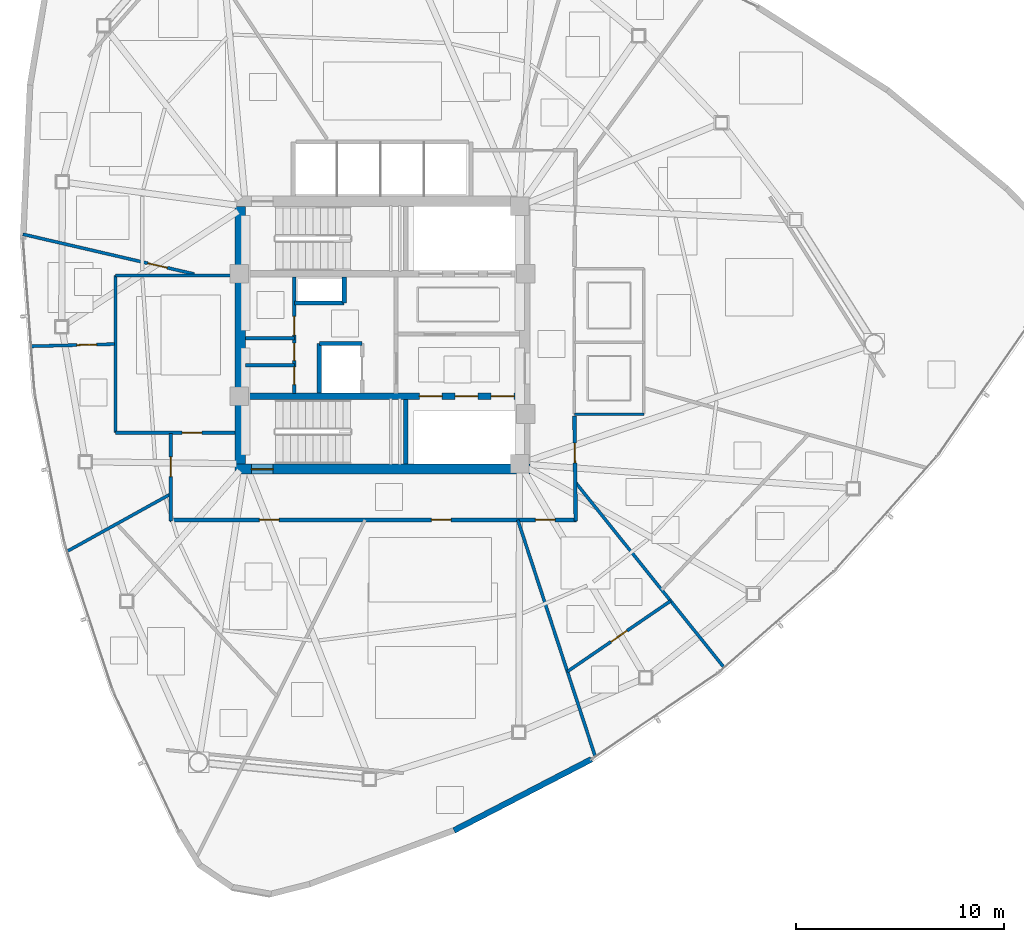
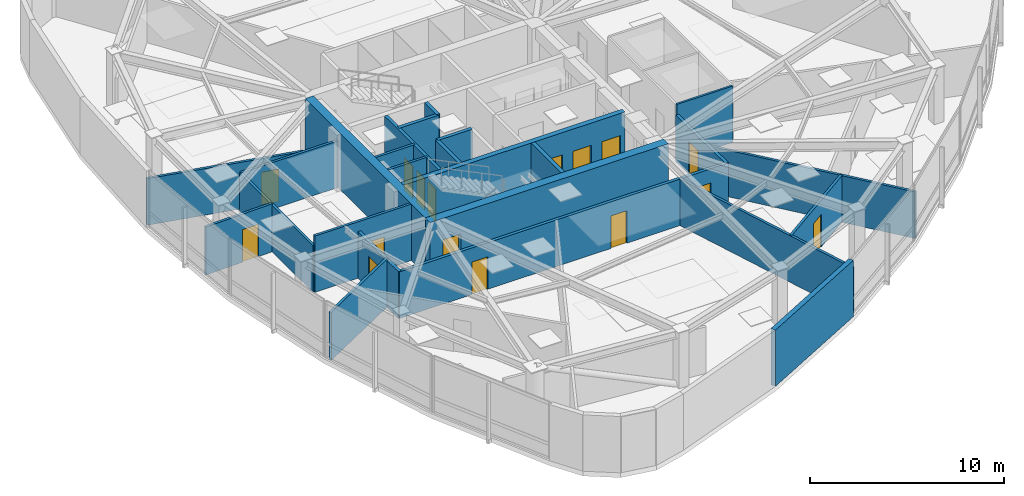
# One storey, part 11 of 17: 25 walls, 16 doors, 16 openings.
"""IFC4 building model written with IfcOpenShell, lengths in metres."""

from ifc_helpers import new_model, si_unit, direction, frame, frame_2d, origin, place, context, subcontext, project, spatial, rectangle, extrude, material, layer, layer_set, type_object, element, fill, save


model = new_model("IFC4")

# Units and contexts
model_context = context("Model", 3, precision=1e-05, world=origin(), true_north=direction((0.0, 1.0)))
body_context = subcontext(model_context, "Body", "Model", "MODEL_VIEW")
ifc_project = project(units=[si_unit("LENGTHUNIT", "METRE"), si_unit("AREAUNIT", "SQUARE_METRE"), si_unit("VOLUMEUNIT", "CUBIC_METRE"), si_unit("PLANEANGLEUNIT", "RADIAN"), si_unit("MASSUNIT", "GRAM", prefix="KILO")], contexts=[model_context])

# Site, building, storey
site_placement = place(None, origin())
site = spatial("IfcSite", under=ifc_project, at=site_placement, CompositionType="ELEMENT")
building_placement = place(site_placement, origin())
building = spatial("IfcBuilding", under=site, at=building_placement, Name="Tavelor Broadcast Tower", CompositionType="ELEMENT")
storey_placement = place(building_placement, frame((0.0, 0.0, 192.60009765625)))
storey = spatial("IfcBuildingStorey", under=building, at=storey_placement, Name="L46", CompositionType="ELEMENT", Elevation=192.60009765625)

# Wall, opening, door
ifc_material_1 = material(Name="Concrete C50/60", Category="concrete")
ifc_layer_1 = layer(ifc_material_1, 0.5)
ifc_layer_set_1 = layer_set([ifc_layer_1], Name="Concrete C50/60")
wall_type_1 = type_object("IfcWallType", Name="Core Shear Wall 500 mm", PredefinedType="SHEAR", material=ifc_layer_set_1)
wall_1_placement = place(storey_placement, frame((42.89990234375, 38.550048828125, 0.0), z_axis=(0.0, 0.0, 1.0), x_axis=(1.0, 0.0, 0.0)))
wall_1 = element("IfcWall", 1, at=wall_1_placement, inside=storey, type_object=wall_type_1, Name="L46 Central Core Shear Wall S", PredefinedType="SHEAR", context=body_context, shape_type="SweptSolid", body=[
    extrude(rectangle(XDim=14.2001953125, YDim=0.5, at=frame_2d((7.10009765625, 0.0))), origin(), (0.0, 0.0, 1.0), 3.5498046875),
])
opening_1_placement = place(wall_1_placement, frame((0.780029296875, 0.0, 0.0)))
opening_1 = element("IfcOpeningElement", 2, at=opening_1_placement, cuts=wall_1, Name="Opening DR11", PredefinedType="OPENING", context=body_context, shape_type="SweptSolid", body=[
    extrude(rectangle(XDim=1.050048828125, YDim=2.199951171875, at=frame_2d((0.52490234375, 1.10009765625))), frame((0.0, 0.260009765625, 0.0), z_axis=(0.0, -1.0, 0.0), x_axis=(1.0, 0.0, 0.0)), (0.0, 0.0, 1.0), 0.52001953125),
])
ifc_material_2 = material(Name="Steel S355", Category="steel")
door_type_1 = type_object("IfcDoorType", Name="Stair Core Fire Escape Door 1050x2200", OperationType="NOTDEFINED", PredefinedType="DOOR", material=ifc_material_2)
door_1_placement = place(opening_1_placement, origin())
door_1 = element("IfcDoor", 3, at=door_1_placement, inside=storey, type_object=door_type_1, Name="L46 Stair ST2 Protected Exit Door", OperationType="SINGLE_SWING_RIGHT", OverallHeight=2.199951171875, OverallWidth=1.050048828125, PredefinedType="DOOR", context=body_context, shape_type="SweptSolid", body=[
    extrude(rectangle(XDim=1.050048828125, YDim=2.199951171875, at=frame_2d((0.52490234375, 1.10009765625))), frame((0.0, 0.02490234375, 0.0), z_axis=(0.0, -1.0, 0.0), x_axis=(1.0, 0.0, 0.0)), (0.0, 0.0, 1.0), 0.050048828125),
])
fill(opening_1, door_1)

# Wall
wall_2_placement = place(storey_placement, frame((43.14990234375, 38.800048828125, 0.0), z_axis=(0.0, 0.0, 1.0), x_axis=(0.0, 1.0, 0.0)))
element("IfcWall", 4, at=wall_2_placement, inside=storey, type_object=wall_type_1, Name="L46 Central Core Shear Wall W", PredefinedType="SHEAR", context=body_context, shape_type="SweptSolid", body=[
    extrude(rectangle(XDim=12.39990234375, YDim=0.5, at=frame_2d((6.199951171875, 0.0))), origin(), (0.0, 0.0, 1.0), 3.5498046875),
])

# Wall, openings, doors
ifc_layer_2 = layer(ifc_material_1, 0.300048828125)
ifc_layer_set_2 = layer_set([ifc_layer_2], Name="Concrete C50/60")
wall_type_2 = type_object("IfcWallType", Name="Core Spine Shear Wall 300 mm C50", PredefinedType="SHEAR", material=ifc_layer_set_2)
wall_3_placement = place(storey_placement, frame((43.39990234375, 42.050048828125, 0.0), z_axis=(0.0, 0.0, 1.0), x_axis=(1.0, 0.0, 0.0)))
wall_3 = element("IfcWall", 5, at=wall_3_placement, inside=storey, type_object=wall_type_2, Name="L46 Central Core Shear Wall SP2", PredefinedType="SHEAR", context=body_context, shape_type="SweptSolid", body=[
    extrude(rectangle(XDim=13.2001953125, YDim=0.300048828125, at=frame_2d((6.60009765625, 0.0))), origin(), (0.0, 0.0, 1.0), 3.5498046875),
])
opening_2_placement = place(wall_3_placement, frame((8.3701171875, 0.0, 0.0)))
opening_2 = element("IfcOpeningElement", 6, at=opening_2_placement, cuts=wall_3, Name="Opening LD01", PredefinedType="OPENING", context=body_context, shape_type="SweptSolid", body=[
    extrude(rectangle(XDim=1.10009765625, YDim=2.14990234375, at=frame_2d((0.550048828125, 1.074951171875))), frame((0.0, 0.16015625, 0.0), z_axis=(0.0, -1.0, 0.0), x_axis=(1.0, 0.0, 0.0)), (0.0, 0.0, 1.0), 0.320068359375),
])
opening_3_placement = place(wall_3_placement, frame((10.090087890625, 0.0, 0.0)))
opening_3 = element("IfcOpeningElement", 7, at=opening_3_placement, cuts=wall_3, Name="Opening LD01", PredefinedType="OPENING", context=body_context, shape_type="SweptSolid", body=[
    extrude(rectangle(XDim=1.10009765625, YDim=2.14990234375, at=frame_2d((0.550048828125, 1.074951171875))), frame((0.0, 0.16015625, 0.0), z_axis=(0.0, -1.0, 0.0), x_axis=(1.0, 0.0, 0.0)), (0.0, 0.0, 1.0), 0.320068359375),
])
opening_4_placement = place(wall_3_placement, frame((11.830078125, 0.0, 0.0)))
opening_4 = element("IfcOpeningElement", 8, at=opening_4_placement, cuts=wall_3, Name="Opening LD01", PredefinedType="OPENING", context=body_context, shape_type="SweptSolid", body=[
    extrude(rectangle(XDim=1.10009765625, YDim=2.14990234375, at=frame_2d((0.550048828125, 1.074951171875))), frame((0.0, 0.16015625, 0.0), z_axis=(0.0, -1.0, 0.0), x_axis=(1.0, 0.0, 0.0)), (0.0, 0.0, 1.0), 0.320068359375),
])
ifc_material_3 = material(Name="Brushed Stainless Steel", Category="steel")
door_type_2 = type_object("IfcDoorType", Name="Passenger Lift Sliding Landing Door 1100x2150", OperationType="NOTDEFINED", PredefinedType="DOOR", material=ifc_material_3)
door_2_placement = place(opening_2_placement, origin())
door_2 = element("IfcDoor", 9, at=door_2_placement, inside=storey, type_object=door_type_2, Name="L46 Lift PLM1 Sliding Landing Door", OperationType="SLIDING_TO_LEFT", OverallHeight=2.14990234375, OverallWidth=1.10009765625, PredefinedType="DOOR", context=body_context, shape_type="SweptSolid", body=[
    extrude(rectangle(XDim=1.10009765625, YDim=2.14990234375, at=frame_2d((0.550048828125, 1.074951171875))), frame((0.0, 0.02490234375, 0.0), z_axis=(0.0, -1.0, 0.0), x_axis=(1.0, 0.0, 0.0)), (0.0, 0.0, 1.0), 0.050048828125),
])
fill(opening_2, door_2)
door_3_placement = place(opening_3_placement, origin())
door_3 = element("IfcDoor", 10, at=door_3_placement, inside=storey, type_object=door_type_2, Name="L46 Lift PLM2 Sliding Landing Door", OperationType="SLIDING_TO_LEFT", OverallHeight=2.14990234375, OverallWidth=1.10009765625, PredefinedType="DOOR", context=body_context, shape_type="SweptSolid", body=[
    extrude(rectangle(XDim=1.10009765625, YDim=2.14990234375, at=frame_2d((0.550048828125, 1.074951171875))), frame((0.0, 0.02490234375, 0.0), z_axis=(0.0, -1.0, 0.0), x_axis=(1.0, 0.0, 0.0)), (0.0, 0.0, 1.0), 0.050048828125),
])
fill(opening_3, door_3)
door_4_placement = place(opening_4_placement, origin())
door_4 = element("IfcDoor", 11, at=door_4_placement, inside=storey, type_object=door_type_2, Name="L46 Lift PLM3 Sliding Landing Door", OperationType="SLIDING_TO_LEFT", OverallHeight=2.14990234375, OverallWidth=1.10009765625, PredefinedType="DOOR", context=body_context, shape_type="SweptSolid", body=[
    extrude(rectangle(XDim=1.10009765625, YDim=2.14990234375, at=frame_2d((0.550048828125, 1.074951171875))), frame((0.0, 0.02490234375, 0.0), z_axis=(0.0, -1.0, 0.0), x_axis=(1.0, 0.0, 0.0)), (0.0, 0.0, 1.0), 0.050048828125),
])
fill(opening_4, door_4)

ifc_material_4 = material(Name="Calcium Silicate Fire Board 180 mm", Category="gypsum")
ifc_layer_3 = layer(ifc_material_4, 0.179931640625)
ifc_layer_set_3 = layer_set([ifc_layer_3], Name="Calcium Silicate Fire Board 180 mm")
wall_type_3 = type_object("IfcWallType", Name="Fire-Rated Corridor Partition Wall 180 mm", PredefinedType="PARTITIONING", material=ifc_layer_set_3)
wall_4_placement = place(storey_placement, frame((45.75, 42.199951171875, 0.0), z_axis=(0.0, 0.0, 1.0), x_axis=(0.0, 1.0, 0.0)))
wall_4 = element("IfcWall", 12, at=wall_4_placement, inside=storey, type_object=wall_type_3, Name="L46 Core West Service East Wall", PredefinedType="PARTITIONING", context=body_context, shape_type="SweptSolid", body=[
    extrude(rectangle(XDim=5.60009765625, YDim=0.179931640625, at=frame_2d((2.800048828125, 0.0))), origin(), (0.0, 0.0, 1.0), 3.5498046875),
])
opening_5_placement = place(wall_4_placement, frame((0.419921875, 0.0, 0.0)))
opening_5 = element("IfcOpeningElement", 13, at=opening_5_placement, cuts=wall_4, Name="Opening DR36", PredefinedType="OPENING", context=body_context, shape_type="SweptSolid", body=[
    extrude(rectangle(XDim=0.85009765625, YDim=2.050048828125, at=frame_2d((0.425048828125, 1.02490234375))), frame((0.0, 0.10009765625, 0.0), z_axis=(0.0, -1.0, 0.0), x_axis=(1.0, 0.0, 0.0)), (0.0, 0.0, 1.0), 0.199951171875),
])
opening_6_placement = place(wall_4_placement, frame((1.570068359375, 0.0, 0.0)))
opening_6 = element("IfcOpeningElement", 14, at=opening_6_placement, cuts=wall_4, Name="Opening DR36", PredefinedType="OPENING", context=body_context, shape_type="SweptSolid", body=[
    extrude(rectangle(XDim=0.85009765625, YDim=2.050048828125, at=frame_2d((0.425048828125, 1.02490234375))), frame((0.0, 0.10009765625, 0.0), z_axis=(0.0, -1.0, 0.0), x_axis=(1.0, 0.0, 0.0)), (0.0, 0.0, 1.0), 0.199951171875),
])
opening_7_placement = place(wall_4_placement, frame((2.800048828125, 0.0, 0.0)))
opening_7 = element("IfcOpeningElement", 15, at=opening_7_placement, cuts=wall_4, Name="Opening DR32", PredefinedType="OPENING", context=body_context, shape_type="SweptSolid", body=[
    extrude(rectangle(XDim=0.89990234375, YDim=2.050048828125, at=frame_2d((0.449951171875, 1.02490234375))), frame((0.0, 0.10009765625, 0.0), z_axis=(0.0, -1.0, 0.0), x_axis=(1.0, 0.0, 0.0)), (0.0, 0.0, 1.0), 0.199951171875),
])
ifc_material_5 = material(Name="Timber Solid Core Hardwood", Category="wood")
door_type_3 = type_object("IfcDoorType", Name="Accessible Washroom Door 900x2050", OperationType="NOTDEFINED", PredefinedType="DOOR", material=ifc_material_5)
door_5_placement = place(opening_7_placement, origin())
door_5 = element("IfcDoor", 16, at=door_5_placement, inside=storey, type_object=door_type_3, Name="L46 Core Accessible WC Door", OperationType="SINGLE_SWING_LEFT", OverallHeight=2.050048828125, OverallWidth=0.89990234375, PredefinedType="DOOR", context=body_context, shape_type="SweptSolid", body=[
    extrude(rectangle(XDim=0.89990234375, YDim=2.050048828125, at=frame_2d((0.449951171875, 1.02490234375))), frame((0.0, 0.02490234375, 0.0), z_axis=(0.0, -1.0, 0.0), x_axis=(1.0, 0.0, 0.0)), (0.0, 0.0, 1.0), 0.050048828125),
])
fill(opening_7, door_5)
door_type_4 = type_object("IfcDoorType", Name="Service Room Fire Door 850x2050", OperationType="NOTDEFINED", PredefinedType="DOOR", material=ifc_material_2)
door_6_placement = place(opening_5_placement, origin())
door_6 = element("IfcDoor", 17, at=door_6_placement, inside=storey, type_object=door_type_4, Name="L46 Core Medical Room Door", OperationType="SINGLE_SWING_LEFT", OverallHeight=2.050048828125, OverallWidth=0.85009765625, PredefinedType="DOOR", context=body_context, shape_type="SweptSolid", body=[
    extrude(rectangle(XDim=0.85009765625, YDim=2.050048828125, at=frame_2d((0.425048828125, 1.02490234375))), frame((0.0, 0.02490234375, 0.0), z_axis=(0.0, -1.0, 0.0), x_axis=(1.0, 0.0, 0.0)), (0.0, 0.0, 1.0), 0.050048828125),
])
fill(opening_5, door_6)
door_7_placement = place(opening_6_placement, origin())
door_7 = element("IfcDoor", 18, at=door_7_placement, inside=storey, type_object=door_type_4, Name="L46 Core Copy Room Door", OperationType="SINGLE_SWING_RIGHT", OverallHeight=2.050048828125, OverallWidth=0.85009765625, PredefinedType="DOOR", context=body_context, shape_type="SweptSolid", body=[
    extrude(rectangle(XDim=0.85009765625, YDim=2.050048828125, at=frame_2d((0.425048828125, 1.02490234375))), frame((0.0, 0.02490234375, 0.0), z_axis=(0.0, -1.0, 0.0), x_axis=(1.0, 0.0, 0.0)), (0.0, 0.0, 1.0), 0.050048828125),
])
fill(opening_6, door_7)

# Wall, opening, door
wall_5_placement = place(storey_placement, frame((59.240478515625, 41.10009765625, 0.0), z_axis=(0.0, 0.0, 1.0), x_axis=(0.011891834917, -0.999929289631, 0.0)))
wall_5 = element("IfcWall", 19, at=wall_5_placement, inside=storey, type_object=wall_type_3, Name="L46 Corridor Compartment Wall 03", PredefinedType="PARTITIONING", context=body_context, shape_type="SweptSolid", body=[
    extrude(rectangle(XDim=5.05029296875, YDim=0.179931640625, at=frame_2d((2.525146484375, 0.0))), origin(), (0.0, 0.0, 1.0), 2.934814453125),
])
opening_8_placement = place(wall_5_placement, frame((1.304931640625, 0.0, 0.0)))
opening_8 = element("IfcOpeningElement", 20, at=opening_8_placement, cuts=wall_5, Name="Opening DR18", PredefinedType="OPENING", context=body_context, shape_type="SweptSolid", body=[
    extrude(rectangle(XDim=0.949951171875, YDim=2.050048828125, at=frame_2d((0.47509765625, 1.02490234375))), frame((0.0, 0.10009765625, 0.0), z_axis=(0.0, -1.0, 0.0), x_axis=(1.0, 0.0, 0.0)), (0.0, 0.0, 1.0), 0.199951171875),
])
door_type_5 = type_object("IfcDoorType", Name="Corridor Rated Compartment Door 950x2050", OperationType="NOTDEFINED", PredefinedType="DOOR", material=ifc_material_5)
door_8_placement = place(opening_8_placement, origin())
door_8 = element("IfcDoor", 21, at=door_8_placement, inside=storey, type_object=door_type_5, Name="L46 Press Concierge Desk Door R10", OperationType="SINGLE_SWING_LEFT", OverallHeight=2.050048828125, OverallWidth=0.949951171875, PredefinedType="DOOR", context=body_context, shape_type="SweptSolid", body=[
    extrude(rectangle(XDim=0.949951171875, YDim=2.050048828125, at=frame_2d((0.47509765625, 1.02490234375))), frame((0.0, 0.02490234375, 0.0), z_axis=(0.0, -1.0, 0.0), x_axis=(1.0, 0.0, 0.0)), (0.0, 0.0, 1.0), 0.050048828125),
])
fill(opening_8, door_8)

# Wall, openings, doors
wall_6_placement = place(storey_placement, frame((59.35009765625, 36.10009765625, 0.0), z_axis=(0.0, 0.0, 1.0), x_axis=(-1.0, 0.0, 0.0)))
wall_6 = element("IfcWall", 22, at=wall_6_placement, inside=storey, type_object=wall_type_3, Name="L46 Corridor Compartment Wall 04", PredefinedType="PARTITIONING", context=body_context, shape_type="SweptSolid", body=[
    extrude(rectangle(XDim=19.60009765625, YDim=0.179931640625, at=frame_2d((9.800048828125, 0.0))), origin(), (0.0, 0.0, 1.0), 2.934814453125),
])
opening_9_placement = place(wall_6_placement, frame((1.042236328125, 0.0, 0.0)))
opening_9 = element("IfcOpeningElement", 23, at=opening_9_placement, cuts=wall_6, Name="Opening DR18", PredefinedType="OPENING", context=body_context, shape_type="SweptSolid", body=[
    extrude(rectangle(XDim=0.949951171875, YDim=2.050048828125, at=frame_2d((0.47509765625, 1.02490234375))), frame((0.0, 0.10009765625, 0.0), z_axis=(0.0, -1.0, 0.0), x_axis=(1.0, 0.0, 0.0)), (0.0, 0.0, 1.0), 0.199951171875),
])
opening_10_placement = place(wall_6_placement, frame((6.048095703125, 0.0, 0.0)))
opening_10 = element("IfcOpeningElement", 24, at=opening_10_placement, cuts=wall_6, Name="Opening DR18", PredefinedType="OPENING", context=body_context, shape_type="SweptSolid", body=[
    extrude(rectangle(XDim=0.949951171875, YDim=2.050048828125, at=frame_2d((0.47509765625, 1.02490234375))), frame((0.0, 0.10009765625, 0.0), z_axis=(0.0, -1.0, 0.0), x_axis=(1.0, 0.0, 0.0)), (0.0, 0.0, 1.0), 0.199951171875),
])
opening_11_placement = place(wall_6_placement, frame((14.3359375, 0.0, 0.0)))
opening_11 = element("IfcOpeningElement", 25, at=opening_11_placement, cuts=wall_6, Name="Opening DR18", PredefinedType="OPENING", context=body_context, shape_type="SweptSolid", body=[
    extrude(rectangle(XDim=0.949951171875, YDim=2.050048828125, at=frame_2d((0.47509765625, 1.02490234375))), frame((0.0, 0.10009765625, 0.0), z_axis=(0.0, -1.0, 0.0), x_axis=(1.0, 0.0, 0.0)), (0.0, 0.0, 1.0), 0.199951171875),
])
door_9_placement = place(opening_9_placement, origin())
door_9 = element("IfcDoor", 26, at=door_9_placement, inside=storey, type_object=door_type_5, Name="L46 Quiet Listening Room Door R11", OperationType="SINGLE_SWING_RIGHT", OverallHeight=2.050048828125, OverallWidth=0.949951171875, PredefinedType="DOOR", context=body_context, shape_type="SweptSolid", body=[
    extrude(rectangle(XDim=0.949951171875, YDim=2.050048828125, at=frame_2d((0.47509765625, 1.02490234375))), frame((0.0, 0.02490234375, 0.0), z_axis=(0.0, -1.0, 0.0), x_axis=(1.0, 0.0, 0.0)), (0.0, 0.0, 1.0), 0.050048828125),
])
fill(opening_9, door_9)
door_10_placement = place(opening_10_placement, origin())
door_10 = element("IfcDoor", 27, at=door_10_placement, inside=storey, type_object=door_type_5, Name="L46 Producer Interview Room Door R3", OperationType="SINGLE_SWING_LEFT", OverallHeight=2.050048828125, OverallWidth=0.949951171875, PredefinedType="DOOR", context=body_context, shape_type="SweptSolid", body=[
    extrude(rectangle(XDim=0.949951171875, YDim=2.050048828125, at=frame_2d((0.47509765625, 1.02490234375))), frame((0.0, 0.02490234375, 0.0), z_axis=(0.0, -1.0, 0.0), x_axis=(1.0, 0.0, 0.0)), (0.0, 0.0, 1.0), 0.050048828125),
])
fill(opening_10, door_10)
door_11_placement = place(opening_11_placement, origin())
door_11 = element("IfcDoor", 28, at=door_11_placement, inside=storey, type_object=door_type_5, Name="L46 Talent Concierge Desk Door R12", OperationType="SINGLE_SWING_RIGHT", OverallHeight=2.050048828125, OverallWidth=0.949951171875, PredefinedType="DOOR", context=body_context, shape_type="SweptSolid", body=[
    extrude(rectangle(XDim=0.949951171875, YDim=2.050048828125, at=frame_2d((0.47509765625, 1.02490234375))), frame((0.0, 0.02490234375, 0.0), z_axis=(0.0, -1.0, 0.0), x_axis=(1.0, 0.0, 0.0)), (0.0, 0.0, 1.0), 0.050048828125),
])
fill(opening_11, door_11)

# Wall, opening, door
wall_7_placement = place(storey_placement, frame((39.800048828125, 36.050048828125, 0.0), z_axis=(0.0, 0.0, 1.0), x_axis=(0.0, 1.0, 0.0)))
wall_7 = element("IfcWall", 29, at=wall_7_placement, inside=storey, type_object=wall_type_3, Name="L46 Corridor Compartment Wall 05", PredefinedType="PARTITIONING", context=body_context, shape_type="SweptSolid", body=[
    extrude(rectangle(XDim=4.199951171875, YDim=0.179931640625, at=frame_2d((2.10009765625, 0.0))), origin(), (0.0, 0.0, 1.0), 2.934814453125),
])
opening_12_placement = place(wall_7_placement, frame((2.1337890625, 0.0, 0.0)))
opening_12 = element("IfcOpeningElement", 30, at=opening_12_placement, cuts=wall_7, Name="Opening DR18", PredefinedType="OPENING", context=body_context, shape_type="SweptSolid", body=[
    extrude(rectangle(XDim=0.949951171875, YDim=2.050048828125, at=frame_2d((0.47509765625, 1.02490234375))), frame((0.0, 0.10009765625, 0.0), z_axis=(0.0, -1.0, 0.0), x_axis=(1.0, 0.0, 0.0)), (0.0, 0.0, 1.0), 0.199951171875),
])
door_12_placement = place(opening_12_placement, origin())
door_12 = element("IfcDoor", 31, at=door_12_placement, inside=storey, type_object=door_type_5, Name="L46 Press Interview Room Door R5", OperationType="SINGLE_SWING_LEFT", OverallHeight=2.050048828125, OverallWidth=0.949951171875, PredefinedType="DOOR", context=body_context, shape_type="SweptSolid", body=[
    extrude(rectangle(XDim=0.949951171875, YDim=2.050048828125, at=frame_2d((0.47509765625, 1.02490234375))), frame((0.0, 0.02490234375, 0.0), z_axis=(0.0, -1.0, 0.0), x_axis=(1.0, 0.0, 0.0)), (0.0, 0.0, 1.0), 0.050048828125),
])
fill(opening_12, door_12)

# Walls
ifc_material_6 = material(Name="Precast Concrete C40/50", Category="concrete")
ifc_layer_4 = layer(ifc_material_6, 0.280029296875)
ifc_layer_set_4 = layer_set([ifc_layer_4], Name="Precast Concrete C40/50")
wall_type_4 = type_object("IfcWallType", Name="Insulated Precast Terracotta Facade Wall 280 mm", PredefinedType="STANDARD", material=ifc_layer_set_4)
wall_8_placement = place(storey_placement, frame((53.436767578125, 21.142333984375, 0.0), z_axis=(0.0, 0.0, 1.0), x_axis=(0.888031417226, 0.459782776993, 0.0)))
element("IfcWall", 32, at=wall_8_placement, inside=storey, type_object=wall_type_4, Name="L46 Rounded Corner Structural Cladding Pier 16", PredefinedType="STANDARD", context=body_context, shape_type="SweptSolid", body=[
    extrude(rectangle(XDim=7.45556640625, YDim=0.280029296875, at=frame_2d((3.727783203125, 0.0))), origin(), (0.0, 0.0, 1.0), 3.5498046875),
])
ifc_material_7 = material(Name="Gypsum Acoustic Plasterboard 150 mm", Category="gypsum")
ifc_layer_5 = layer(ifc_material_7, 0.14990234375)
ifc_layer_set_5 = layer_set([ifc_layer_5], Name="Gypsum Acoustic Plasterboard 150 mm")
wall_type_5 = type_object("IfcWallType", Name="Interior Acoustic Partition Wall 150 mm", PredefinedType="PARTITIONING", material=ifc_layer_set_5)
for number, where, z_axis, x_axis, name in (
    (33, (43.39990234375, 43.550048828125, 0.0), (0.0, 0.0, 1.0), (1.0, 0.0, 0.0), "L46 Core Split Wall B1"),
    (34, (43.39990234375, 44.85009765625, 0.0), (0.0, 0.0, 1.0), (1.0, 0.0, 0.0), "L46 Core Split Wall B2"),
):
    element("IfcWall", number, at=place(storey_placement, frame(where, z_axis=z_axis, x_axis=x_axis)), inside=storey, type_object=wall_type_5, Name=name, PredefinedType="PARTITIONING", context=body_context, shape_type="SweptSolid", body=[
        extrude(rectangle(XDim=2.35009765625, YDim=0.14990234375, at=frame_2d((1.175048828125, 0.0))), origin(), (0.0, 0.0, 1.0), 3.5498046875),
    ])

# Wall, opening, door
wall_9_placement = place(storey_placement, frame((37.139892578125, 40.300048828125, 0.0), z_axis=(0.0, 0.0, 1.0), x_axis=(1.0, 0.0, 0.0)))
wall_9 = element("IfcWall", 35, at=wall_9_placement, inside=storey, type_object=wall_type_5, Name="L46 Reclaimed Shaft Pantry South Wall", PredefinedType="PARTITIONING", context=body_context, shape_type="SweptSolid", body=[
    extrude(rectangle(XDim=5.760009765625, YDim=0.14990234375, at=frame_2d((2.8798828125, 0.0))), origin(), (0.0, 0.0, 1.0), 3.5498046875),
])
opening_13_placement = place(wall_9_placement, frame((3.2099609375, 0.0, 0.0)))
opening_13 = element("IfcOpeningElement", 36, at=opening_13_placement, cuts=wall_9, Name="Opening DR18", PredefinedType="OPENING", context=body_context, shape_type="SweptSolid", body=[
    extrude(rectangle(XDim=0.949951171875, YDim=2.050048828125, at=frame_2d((0.47509765625, 1.02490234375))), frame((0.0, 0.0849609375, 0.0), z_axis=(0.0, -1.0, 0.0), x_axis=(1.0, 0.0, 0.0)), (0.0, 0.0, 1.0), 0.169921875),
])
door_13_placement = place(opening_13_placement, origin())
door_13 = element("IfcDoor", 37, at=door_13_placement, inside=storey, type_object=door_type_5, Name="L46 Broadcast IT Patch and Pantry Door", OperationType="SINGLE_SWING_LEFT", OverallHeight=2.050048828125, OverallWidth=0.949951171875, PredefinedType="DOOR", context=body_context, shape_type="SweptSolid", body=[
    extrude(rectangle(XDim=0.949951171875, YDim=2.050048828125, at=frame_2d((0.47509765625, 1.02490234375))), frame((0.0, 0.02490234375, 0.0), z_axis=(0.0, -1.0, 0.0), x_axis=(1.0, 0.0, 0.0)), (0.0, 0.0, 1.0), 0.050048828125),
])
fill(opening_13, door_13)

# Walls
wall_10_placement = place(storey_placement, frame((37.139892578125, 40.300048828125, 0.0), z_axis=(0.0, 0.0, 1.0), x_axis=(0.0, 1.0, 0.0)))
element("IfcWall", 38, at=wall_10_placement, inside=storey, type_object=wall_type_5, Name="L46 Reclaimed Shaft Pantry West Wall", PredefinedType="PARTITIONING", context=body_context, shape_type="SweptSolid", body=[
    extrude(rectangle(XDim=7.579833984375, YDim=0.14990234375, at=frame_2d((3.7900390625, 0.0))), origin(), (0.0, 0.0, 1.0), 2.934814453125),
])
wall_11_placement = place(storey_placement, frame((37.139892578125, 47.8798828125, 0.0), z_axis=(0.0, 0.0, 1.0), x_axis=(1.0, 0.0, 0.0)))
element("IfcWall", 39, at=wall_11_placement, inside=storey, type_object=wall_type_5, Name="L46 Reclaimed Shaft Pantry North Wall", PredefinedType="PARTITIONING", context=body_context, shape_type="SweptSolid", body=[
    extrude(rectangle(XDim=5.760009765625, YDim=0.14990234375, at=frame_2d((2.8798828125, 0.0))), origin(), (0.0, 0.0, 1.0), 2.934814453125),
])

# Wall, opening, door
wall_12_placement = place(storey_placement, frame((37.080078125, 44.5673828125, 0.0), z_axis=(0.0, 0.0, 1.0), x_axis=(-0.999657731389, -0.026161423415, 0.0)))
wall_12 = element("IfcWall", 40, at=wall_12_placement, inside=storey, type_object=wall_type_5, Name="L46 Radial Compartment Wall 01", PredefinedType="PARTITIONING", context=body_context, shape_type="SweptSolid", body=[
    extrude(rectangle(XDim=4.022216796875, YDim=0.14990234375, at=frame_2d((2.01123046875, 0.0))), origin(), (0.0, 0.0, 1.0), 3.02490234375),
])
opening_14_placement = place(wall_12_placement, frame((0.85009765625, 0.0, 0.0)))
opening_14 = element("IfcOpeningElement", 41, at=opening_14_placement, cuts=wall_12, Name="Opening DR18", PredefinedType="OPENING", context=body_context, shape_type="SweptSolid", body=[
    extrude(rectangle(XDim=0.949951171875, YDim=2.050048828125, at=frame_2d((0.47509765625, 1.02490234375))), frame((0.0, 0.0849609375, 0.0), z_axis=(0.0, -1.0, 0.0), x_axis=(1.0, 0.0, 0.0)), (0.0, 0.0, 1.0), 0.169921875),
])
door_14_placement = place(opening_14_placement, origin())
door_14 = element("IfcDoor", 42, at=door_14_placement, inside=storey, type_object=door_type_5, Name="L46 Suite Connecting Door 6", OperationType="SINGLE_SWING_LEFT", OverallHeight=2.050048828125, OverallWidth=0.949951171875, PredefinedType="DOOR", context=body_context, shape_type="SweptSolid", body=[
    extrude(rectangle(XDim=0.949951171875, YDim=2.050048828125, at=frame_2d((0.47509765625, 1.02490234375))), frame((0.0, 0.02490234375, 0.0), z_axis=(0.0, -1.0, 0.0), x_axis=(1.0, 0.0, 0.0)), (0.0, 0.0, 1.0), 0.050048828125),
])
fill(opening_14, door_14)

# Walls
wall_13_placement = place(storey_placement, frame((39.800048828125, 37.352294921875, 0.0), z_axis=(0.0, 0.0, 1.0), x_axis=(-0.87467198235, -0.484715301277, 0.0)))
element("IfcWall", 43, at=wall_13_placement, inside=storey, type_object=wall_type_5, Name="L46 Radial Compartment Wall 02", PredefinedType="PARTITIONING", context=body_context, shape_type="SweptSolid", body=[
    extrude(rectangle(XDim=5.722412109375, YDim=0.14990234375, at=frame_2d((2.861328125, 0.0))), origin(), (0.0, 0.0, 1.0), 3.02490234375),
])
wall_14_placement = place(storey_placement, frame((56.51171875, 36.10009765625, 0.0), z_axis=(0.0, 0.0, 1.0), x_axis=(0.310946903343, -0.950427284594, 0.0)))
element("IfcWall", 44, at=wall_14_placement, inside=storey, type_object=wall_type_5, Name="L46 Radial Compartment Wall 04", PredefinedType="PARTITIONING", context=body_context, shape_type="SweptSolid", body=[
    extrude(rectangle(XDim=12.008056640625, YDim=0.14990234375, at=frame_2d((6.00390625, 0.0))), origin(), (0.0, 0.0, 1.0), 2.934814453125),
])
wall_15_placement = place(storey_placement, frame((59.2783203125, 37.9228515625, 0.0), z_axis=(0.0, 0.0, 1.0), x_axis=(0.625813265978, -0.779972920123, 0.0)))
element("IfcWall", 45, at=wall_15_placement, inside=storey, type_object=wall_type_5, Name="L46 Radial Compartment Wall 05", PredefinedType="PARTITIONING", context=body_context, shape_type="SweptSolid", body=[
    extrude(rectangle(XDim=11.468994140625, YDim=0.14990234375, at=frame_2d((5.734375, 0.0))), origin(), (0.0, 0.0, 1.0), 2.934814453125),
])

# Wall, opening, door
wall_16_placement = place(storey_placement, frame((40.937255859375, 47.93994140625, 0.0), z_axis=(0.0, 0.0, 1.0), x_axis=(-0.974084511633, 0.226184358868, 0.0)))
wall_16 = element("IfcWall", 46, at=wall_16_placement, inside=storey, type_object=wall_type_5, Name="L46 Radial Compartment Wall 10", PredefinedType="PARTITIONING", context=body_context, shape_type="SweptSolid", body=[
    extrude(rectangle(XDim=8.4775390625, YDim=0.14990234375, at=frame_2d((4.23876953125, 0.0))), origin(), (0.0, 0.0, 1.0), 2.934814453125),
])
opening_15_placement = place(wall_16_placement, frame((1.35009765625, 0.0, 0.0)))
opening_15 = element("IfcOpeningElement", 47, at=opening_15_placement, cuts=wall_16, Name="Opening DR18", PredefinedType="OPENING", context=body_context, shape_type="SweptSolid", body=[
    extrude(rectangle(XDim=0.949951171875, YDim=2.050048828125, at=frame_2d((0.47509765625, 1.02490234375))), frame((0.0, 0.0849609375, 0.0), z_axis=(0.0, -1.0, 0.0), x_axis=(1.0, 0.0, 0.0)), (0.0, 0.0, 1.0), 0.169921875),
])
door_15_placement = place(opening_15_placement, origin())
door_15 = element("IfcDoor", 48, at=door_15_placement, inside=storey, type_object=door_type_5, Name="L46 Suite Connecting Door 7", OperationType="SINGLE_SWING_LEFT", OverallHeight=2.050048828125, OverallWidth=0.949951171875, PredefinedType="DOOR", context=body_context, shape_type="SweptSolid", body=[
    extrude(rectangle(XDim=0.949951171875, YDim=2.050048828125, at=frame_2d((0.47509765625, 1.02490234375))), frame((0.0, 0.02490234375, 0.0), z_axis=(0.0, -1.0, 0.0), x_axis=(1.0, 0.0, 0.0)), (0.0, 0.0, 1.0), 0.050048828125),
])
fill(opening_15, door_15)

wall_17_placement = place(storey_placement, frame((58.9013671875, 28.7958984375, 0.0), z_axis=(0.0, 0.0, 1.0), x_axis=(0.825260530268, 0.564752208656, 0.0)))
wall_17 = element("IfcWall", 49, at=wall_17_placement, inside=storey, type_object=wall_type_5, Name="L46 Suite Chord Partition Wall 03", PredefinedType="PARTITIONING", context=body_context, shape_type="SweptSolid", body=[
    extrude(rectangle(XDim=6.023193359375, YDim=0.14990234375, at=frame_2d((3.01171875, 0.0))), origin(), (0.0, 0.0, 1.0), 2.934814453125),
])
opening_16_placement = place(wall_17_placement, frame((2.53662109375, 0.0, 0.0)))
opening_16 = element("IfcOpeningElement", 50, at=opening_16_placement, cuts=wall_17, Name="Opening DR23", PredefinedType="OPENING", context=body_context, shape_type="SweptSolid", body=[
    extrude(rectangle(XDim=0.949951171875, YDim=2.050048828125, at=frame_2d((0.47509765625, 1.02490234375))), frame((0.0, 0.0849609375, 0.0), z_axis=(0.0, -1.0, 0.0), x_axis=(1.0, 0.0, 0.0)), (0.0, 0.0, 1.0), 0.169921875),
])
door_type_6 = type_object("IfcDoorType", Name="Editorial Room Acoustic Door 950x2050", OperationType="NOTDEFINED", PredefinedType="DOOR", material=ifc_material_5)
door_16_placement = place(opening_16_placement, origin())
door_16 = element("IfcDoor", 51, at=door_16_placement, inside=storey, type_object=door_type_6, Name="L46 Outer Suite Partition Door 3", OperationType="SINGLE_SWING_RIGHT", OverallHeight=2.050048828125, OverallWidth=0.949951171875, PredefinedType="DOOR", context=body_context, shape_type="SweptSolid", body=[
    extrude(rectangle(XDim=0.949951171875, YDim=2.050048828125, at=frame_2d((0.47509765625, 1.02490234375))), frame((0.0, 0.02490234375, 0.0), z_axis=(0.0, -1.0, 0.0), x_axis=(1.0, 0.0, 0.0)), (0.0, 0.0, 1.0), 0.050048828125),
])
fill(opening_16, door_16)

# Walls
ifc_material_8 = material(Name="Concrete Blockwork 200 mm", Category="masonry")
ifc_layer_6 = layer(ifc_material_8, 0.199951171875)
ifc_layer_set_6 = layer_set([ifc_layer_6], Name="Concrete Blockwork 200 mm")
wall_type_6 = type_object("IfcWallType", Name="Lift and Riser Shaft Enclosure Wall 200 mm", PredefinedType="PARTITIONING", material=ifc_layer_set_6)
wall_18_placement = place(storey_placement, frame((45.75, 46.550048828125, 0.0), z_axis=(0.0, 0.0, 1.0), x_axis=(1.0, 0.0, 0.0)))
element("IfcWall", 52, at=wall_18_placement, inside=storey, type_object=wall_type_6, Name="L46 Riser Shaft South Wall", PredefinedType="PARTITIONING", context=body_context, shape_type="SweptSolid", body=[
    extrude(rectangle(XDim=2.39990234375, YDim=0.199951171875, at=frame_2d((1.199951171875, 0.0))), origin(), (0.0, 0.0, 1.0), 3.5498046875),
])
wall_19_placement = place(storey_placement, frame((48.14990234375, 46.550048828125, 0.0), z_axis=(0.0, 0.0, 1.0), x_axis=(0.0, 1.0, 0.0)))
element("IfcWall", 53, at=wall_19_placement, inside=storey, type_object=wall_type_6, Name="L46 Riser Shaft East Wall", PredefinedType="PARTITIONING", context=body_context, shape_type="SweptSolid", body=[
    extrude(rectangle(XDim=1.25, YDim=0.199951171875, at=frame_2d((0.625, 0.0))), origin(), (0.0, 0.0, 1.0), 3.5498046875),
])
wall_20_placement = place(storey_placement, frame((46.949951171875, 42.199951171875, 0.0), z_axis=(0.0, 0.0, 1.0), x_axis=(0.0, 1.0, 0.0)))
element("IfcWall", 54, at=wall_20_placement, inside=storey, type_object=wall_type_6, Name="L46 Mid-Rise Lift PLM4 West Wall", PredefinedType="PARTITIONING", context=body_context, shape_type="SweptSolid", body=[
    extrude(rectangle(XDim=2.400146484375, YDim=0.199951171875, at=frame_2d((1.2001953125, 0.0))), origin(), (0.0, 0.0, 1.0), 3.5498046875),
])
wall_21_placement = place(storey_placement, frame((46.949951171875, 44.60009765625, 0.0), z_axis=(0.0, 0.0, 1.0), x_axis=(1.0, 0.0, 0.0)))
element("IfcWall", 55, at=wall_21_placement, inside=storey, type_object=wall_type_6, Name="L46 Mid-Rise Lift PLM4 North Wall", PredefinedType="PARTITIONING", context=body_context, shape_type="SweptSolid", body=[
    extrude(rectangle(XDim=2.050048828125, YDim=0.199951171875, at=frame_2d((1.02490234375, 0.0))), origin(), (0.0, 0.0, 1.0), 3.5498046875),
])
ifc_material_9 = material(Name="Moisture-Resistant Plasterboard 120 mm", Category="gypsum")
ifc_layer_7 = layer(ifc_material_9, 0.1201171875)
ifc_layer_set_7 = layer_set([ifc_layer_7], Name="Moisture-Resistant Plasterboard 120 mm")
wall_type_7 = type_object("IfcWallType", Name="Moisture-Resistant Wet-Room Partition 120 mm", PredefinedType="PARTITIONING", material=ifc_layer_set_7)
wall_22_placement = place(storey_placement, frame((59.239990234375, 41.199951171875, 0.0), z_axis=(0.0, 0.0, 1.0), x_axis=(1.0, 0.0, 0.0)))
element("IfcWall", 56, at=wall_22_placement, inside=storey, type_object=wall_type_7, Name="L46 Floor Washrooms South Wall", PredefinedType="PARTITIONING", context=body_context, shape_type="SweptSolid", body=[
    extrude(rectangle(XDim=3.340087890625, YDim=0.1201171875, at=frame_2d((1.669921875, 0.0))), origin(), (0.0, 0.0, 1.0), 3.5498046875),
])
ifc_material_10 = material(Name="Concrete C40/50", Category="concrete")
ifc_layer_8 = layer(ifc_material_10, 0.219970703125)
ifc_layer_set_8 = layer_set([ifc_layer_8], Name="Concrete C40/50")
wall_type_8 = type_object("IfcWallType", Name="Structural Stairwell Shear Wall 220 mm", PredefinedType="SHEAR", material=ifc_layer_set_8)
wall_23_placement = place(storey_placement, frame((51.110107421875, 38.800048828125, 0.0), z_axis=(0.0, 0.0, 1.0), x_axis=(0.0, 1.0, 0.0)))
element("IfcWall", 57, at=wall_23_placement, inside=storey, type_object=wall_type_8, Name="L46 Stair ST2 Structural Shaft Wall", PredefinedType="SHEAR", context=body_context, shape_type="SweptSolid", body=[
    extrude(rectangle(XDim=3.099853515625, YDim=0.219970703125, at=frame_2d((1.5498046875, 0.0))), origin(), (0.0, 0.0, 1.0), 3.5498046875),
])

save(model, "model.ifc")
